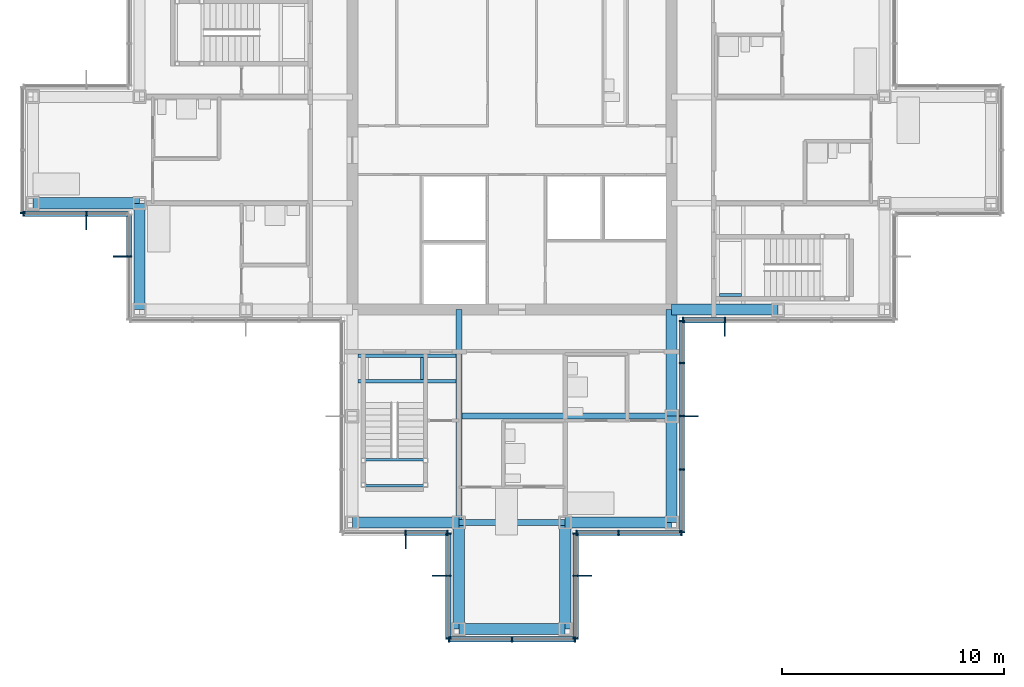
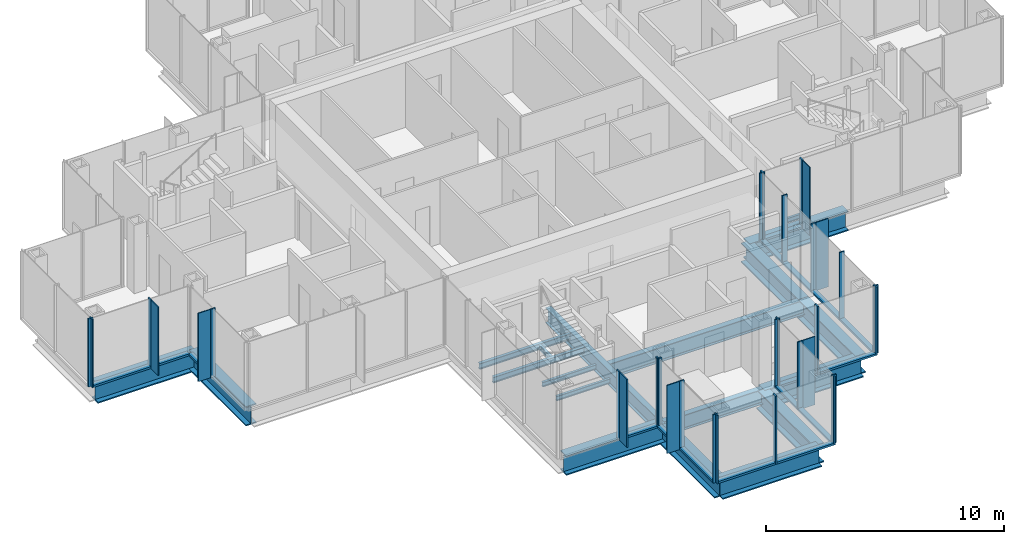
# One storey, part 6 of 17: 49 members, 19 beams, 10 elements without a shape of their own.
"""IFC4 building model written with IfcOpenShell, lengths in metres."""

from ifc_helpers import new_model, si_unit, direction, frame, origin, origin_2d, place, context, subcontext, project, spatial, rectangle, i_section, extrude, material, material_profile, profile_set, type_object, element, aggregate, save


model = new_model("IFC4")

# Units and contexts
model_context = context("Model", 3, precision=1e-05, world=origin(), true_north=direction((0.0, 1.0)))
body_context = subcontext(model_context, "Body", "Model", "MODEL_VIEW")
ifc_project = project(units=[si_unit("LENGTHUNIT", "METRE"), si_unit("AREAUNIT", "SQUARE_METRE"), si_unit("VOLUMEUNIT", "CUBIC_METRE"), si_unit("PLANEANGLEUNIT", "RADIAN"), si_unit("MASSUNIT", "GRAM", prefix="KILO")], contexts=[model_context])

# Site, building, storey
site_placement = place(None, origin())
site = spatial("IfcSite", under=ifc_project, at=site_placement, CompositionType="ELEMENT")
building_placement = place(site_placement, origin())
building = spatial("IfcBuilding", under=site, at=building_placement, Name="Kvirike Care Tower", CompositionType="ELEMENT")
storey_placement = place(building_placement, frame((0.0, 0.0, 183.0)))
storey = spatial("IfcBuildingStorey", under=building, at=storey_placement, Name="L50", CompositionType="ELEMENT", Elevation=183.0)

# Curtain wall, member
ifc_material_1 = material(Name="Anodised aluminium stick system", Category="aluminium")
curtain_wall_type = type_object("IfcCurtainWallType", Name="CW-C STICK CURTAIN WALL", PredefinedType="NOTDEFINED", material=ifc_material_1)
curtain_wall_1_placement = place(storey_placement, origin())
curtain_wall_1 = element("IfcCurtainWall", 1, at=curtain_wall_1_placement, inside=storey, type_object=curtain_wall_type, Name="Curtain wall L50 face 1", PredefinedType="NOTDEFINED")
ifc_material_2 = material(Name="Bronze anodised aluminium fin", Category="aluminium")
ifc_material_profile_1 = material_profile(ifc_material_2, rectangle(XDim=0.050048828125, YDim=0.60009765625, at=origin_2d()), Name="BRONZE FIN 600")
ifc_profile_set_1 = profile_set([ifc_material_profile_1], Name="Bronze anodised aluminium fin")
member_type_1 = type_object("IfcMemberType", Name="BRONZE FIN 600", PredefinedType="USERDEFINED", material=ifc_profile_set_1)
member_1_placement = place(storey_placement, frame((31.199951171875, 27.909912109375, 0.0), z_axis=(0.0, 0.0, 1.0), x_axis=(1.0, 0.0, 0.0)))
member_1 = element("IfcMember", 2, at=member_1_placement, type_object=member_type_1, Name="Bronze fin L50 face 1.2", ObjectType="FIN", PredefinedType="USERDEFINED", context=body_context, shape_type="SweptSolid", body=[
    extrude(rectangle(XDim=0.050048828125, YDim=0.60009765625, at=origin_2d()), origin(), (0.0, 0.0, 1.0), 3.5),
])

curtain_wall_2_placement = place(storey_placement, origin())
curtain_wall_2 = element("IfcCurtainWall", 3, at=curtain_wall_2_placement, inside=storey, type_object=curtain_wall_type, Name="Curtain wall L50 face 19", PredefinedType="NOTDEFINED")
member_2_placement = place(storey_placement, frame((2.39990234375, 32.7099609375, 0.0), z_axis=(0.0, 0.0, 1.0), x_axis=(1.0, 0.0, 0.0)))
member_2 = element("IfcMember", 4, at=member_2_placement, type_object=member_type_1, Name="Bronze fin L50 face 19.2", ObjectType="FIN", PredefinedType="USERDEFINED", context=body_context, shape_type="SweptSolid", body=[
    extrude(rectangle(XDim=0.050048828125, YDim=0.60009765625, at=origin_2d()), origin(), (0.0, 0.0, 1.0), 3.5),
])

curtain_wall_3_placement = place(storey_placement, origin())
curtain_wall_3 = element("IfcCurtainWall", 5, at=curtain_wall_3_placement, inside=storey, type_object=curtain_wall_type, Name="Curtain wall L50 face 20", PredefinedType="NOTDEFINED")
member_3_placement = place(storey_placement, frame((3.909912109375, 31.199951171875, 0.0), z_axis=(0.0, 0.0, 1.0), x_axis=(0.0, -1.0, 0.0)))
member_3 = element("IfcMember", 6, at=member_3_placement, type_object=member_type_1, Name="Bronze fin L50 face 20.2", ObjectType="FIN", PredefinedType="USERDEFINED", context=body_context, shape_type="SweptSolid", body=[
    extrude(rectangle(XDim=0.050048828125, YDim=0.60009765625, at=origin_2d()), origin(), (0.0, 0.0, 1.0), 3.5),
])

curtain_wall_4_placement = place(storey_placement, origin())
curtain_wall_4 = element("IfcCurtainWall", 7, at=curtain_wall_4_placement, inside=storey, type_object=curtain_wall_type, Name="Curtain wall L50 face 23", PredefinedType="NOTDEFINED")
member_4_placement = place(storey_placement, frame((16.800048828125, 18.31005859375, 0.0), z_axis=(0.0, 0.0, 1.0), x_axis=(1.0, 0.0, 0.0)))
member_4 = element("IfcMember", 8, at=member_4_placement, type_object=member_type_1, Name="Bronze fin L50 face 23.2", ObjectType="FIN", PredefinedType="USERDEFINED", context=body_context, shape_type="SweptSolid", body=[
    extrude(rectangle(XDim=0.050048828125, YDim=0.60009765625, at=origin_2d()), origin(), (0.0, 0.0, 1.0), 3.5),
])

curtain_wall_5_placement = place(storey_placement, origin())
curtain_wall_5 = element("IfcCurtainWall", 9, at=curtain_wall_5_placement, inside=storey, type_object=curtain_wall_type, Name="Curtain wall L50 face 24", PredefinedType="NOTDEFINED")
member_5_placement = place(storey_placement, frame((18.31005859375, 16.800048828125, 0.0), z_axis=(0.0, 0.0, 1.0), x_axis=(0.0, -1.0, 0.0)))
member_5 = element("IfcMember", 10, at=member_5_placement, type_object=member_type_1, Name="Bronze fin L50 face 24.2", ObjectType="FIN", PredefinedType="USERDEFINED", context=body_context, shape_type="SweptSolid", body=[
    extrude(rectangle(XDim=0.050048828125, YDim=0.60009765625, at=origin_2d()), origin(), (0.0, 0.0, 1.0), 3.5),
])

curtain_wall_6_placement = place(storey_placement, origin())
curtain_wall_6 = element("IfcCurtainWall", 11, at=curtain_wall_6_placement, inside=storey, type_object=curtain_wall_type, Name="Curtain wall L50 face 26", PredefinedType="NOTDEFINED")
member_6_placement = place(storey_placement, frame((24.889892578125, 16.800048828125, 0.0), z_axis=(0.0, 0.0, 1.0), x_axis=(0.0, 1.0, 0.0)))
member_6 = element("IfcMember", 12, at=member_6_placement, type_object=member_type_1, Name="Bronze fin L50 face 26.2", ObjectType="FIN", PredefinedType="USERDEFINED", context=body_context, shape_type="SweptSolid", body=[
    extrude(rectangle(XDim=0.050048828125, YDim=0.60009765625, at=origin_2d()), origin(), (0.0, 0.0, 1.0), 3.5),
])

curtain_wall_7_placement = place(storey_placement, origin())
curtain_wall_7 = element("IfcCurtainWall", 13, at=curtain_wall_7_placement, inside=storey, type_object=curtain_wall_type, Name="Curtain wall L50 face 28", PredefinedType="NOTDEFINED")
member_7_placement = place(storey_placement, frame((29.68994140625, 24.0, 0.0), z_axis=(0.0, 0.0, 1.0), x_axis=(0.0, 1.0, 0.0)))
member_7 = element("IfcMember", 14, at=member_7_placement, type_object=member_type_1, Name="Bronze fin L50 face 28.3", ObjectType="FIN", PredefinedType="USERDEFINED", context=body_context, shape_type="SweptSolid", body=[
    extrude(rectangle(XDim=0.050048828125, YDim=0.60009765625, at=origin_2d()), origin(), (0.0, 0.0, 1.0), 3.5),
])

# Member
ifc_material_3 = material(Name="Bronze anodised aluminium mullion", Category="aluminium")
ifc_material_profile_2 = material_profile(ifc_material_3, rectangle(XDim=0.06494140625, YDim=0.239990234375, at=origin_2d()), Name="CW-C MULLION 65x240")
ifc_profile_set_2 = profile_set([ifc_material_profile_2], Name="Bronze anodised aluminium mullion")
member_type_2 = type_object("IfcMemberType", Name="CW-C MULLION 65x240", PredefinedType="MULLION", material=ifc_profile_set_2)
member_8_placement = place(storey_placement, frame((29.302490234375, 28.330078125, 0.0), z_axis=(0.0, 0.0, 1.0), x_axis=(1.0, 0.0, 0.0)))
member_8 = element("IfcMember", 15, at=member_8_placement, type_object=member_type_2, Name="CW-C mullion L50 face 1.1", PredefinedType="MULLION", context=body_context, shape_type="SweptSolid", body=[
    extrude(rectangle(XDim=0.06494140625, YDim=0.239990234375, at=origin_2d()), origin(), (0.0, 0.0, 1.0), 3.5),
])

member_9_placement = place(storey_placement, frame((31.199951171875, 28.330078125, 0.0), z_axis=(0.0, 0.0, 1.0), x_axis=(1.0, 0.0, 0.0)))
member_9 = element("IfcMember", 16, at=member_9_placement, type_object=member_type_2, Name="CW-C mullion L50 face 1.2", PredefinedType="MULLION", context=body_context, shape_type="SweptSolid", body=[
    extrude(rectangle(XDim=0.06494140625, YDim=0.239990234375, at=origin_2d()), origin(), (0.0, 0.0, 1.0), 3.5),
])

# Curtain wall, member
curtain_wall_8_placement = place(storey_placement, origin())
curtain_wall_8 = element("IfcCurtainWall", 17, at=curtain_wall_8_placement, inside=storey, type_object=curtain_wall_type, Name="Curtain wall L50 face 18", PredefinedType="NOTDEFINED")
member_10_placement = place(storey_placement, frame((-0.469970703125, 33.16259765625, 0.0), z_axis=(0.0, 0.0, 1.0), x_axis=(0.0, -1.0, 0.0)))
member_10 = element("IfcMember", 18, at=member_10_placement, type_object=member_type_2, Name="CW-C mullion L50 face 18.3", PredefinedType="MULLION", context=body_context, shape_type="SweptSolid", body=[
    extrude(rectangle(XDim=0.06494140625, YDim=0.239990234375, at=origin_2d()), origin(), (0.0, 0.0, 1.0), 3.5),
])
aggregate(curtain_wall_8, [member_10])

# Member
member_11_placement = place(storey_placement, frame((-0.4375, 33.1298828125, 0.0), z_axis=(0.0, 0.0, 1.0), x_axis=(1.0, 0.0, 0.0)))
member_11 = element("IfcMember", 19, at=member_11_placement, type_object=member_type_2, Name="CW-C mullion L50 face 19.1", PredefinedType="MULLION", context=body_context, shape_type="SweptSolid", body=[
    extrude(rectangle(XDim=0.06494140625, YDim=0.239990234375, at=origin_2d()), origin(), (0.0, 0.0, 1.0), 3.5),
])

member_12_placement = place(storey_placement, frame((2.39990234375, 33.1298828125, 0.0), z_axis=(0.0, 0.0, 1.0), x_axis=(1.0, 0.0, 0.0)))
member_12 = element("IfcMember", 20, at=member_12_placement, type_object=member_type_2, Name="CW-C mullion L50 face 19.2", PredefinedType="MULLION", context=body_context, shape_type="SweptSolid", body=[
    extrude(rectangle(XDim=0.06494140625, YDim=0.239990234375, at=origin_2d()), origin(), (0.0, 0.0, 1.0), 3.5),
])

member_13_placement = place(storey_placement, frame((4.330078125, 31.199951171875, 0.0), z_axis=(0.0, 0.0, 1.0), x_axis=(0.0, -1.0, 0.0)))
member_13 = element("IfcMember", 21, at=member_13_placement, type_object=member_type_2, Name="CW-C mullion L50 face 20.2", PredefinedType="MULLION", context=body_context, shape_type="SweptSolid", body=[
    extrude(rectangle(XDim=0.06494140625, YDim=0.239990234375, at=origin_2d()), origin(), (0.0, 0.0, 1.0), 3.5),
])

member_14_placement = place(storey_placement, frame((16.800048828125, 18.72998046875, 0.0), z_axis=(0.0, 0.0, 1.0), x_axis=(1.0, 0.0, 0.0)))
member_14 = element("IfcMember", 22, at=member_14_placement, type_object=member_type_2, Name="CW-C mullion L50 face 23.2", PredefinedType="MULLION", context=body_context, shape_type="SweptSolid", body=[
    extrude(rectangle(XDim=0.06494140625, YDim=0.239990234375, at=origin_2d()), origin(), (0.0, 0.0, 1.0), 3.5),
])

member_15_placement = place(storey_placement, frame((18.697509765625, 18.72998046875, 0.0), z_axis=(0.0, 0.0, 1.0), x_axis=(1.0, 0.0, 0.0)))
member_15 = element("IfcMember", 23, at=member_15_placement, type_object=member_type_2, Name="CW-C mullion L50 face 23.3", PredefinedType="MULLION", context=body_context, shape_type="SweptSolid", body=[
    extrude(rectangle(XDim=0.06494140625, YDim=0.239990234375, at=origin_2d()), origin(), (0.0, 0.0, 1.0), 3.5),
])

member_16_placement = place(storey_placement, frame((18.72998046875, 18.697509765625, 0.0), z_axis=(0.0, 0.0, 1.0), x_axis=(0.0, -1.0, 0.0)))
member_16 = element("IfcMember", 24, at=member_16_placement, type_object=member_type_2, Name="CW-C mullion L50 face 24.1", PredefinedType="MULLION", context=body_context, shape_type="SweptSolid", body=[
    extrude(rectangle(XDim=0.06494140625, YDim=0.239990234375, at=origin_2d()), origin(), (0.0, 0.0, 1.0), 3.5),
])

member_17_placement = place(storey_placement, frame((18.72998046875, 16.800048828125, 0.0), z_axis=(0.0, 0.0, 1.0), x_axis=(0.0, -1.0, 0.0)))
member_17 = element("IfcMember", 25, at=member_17_placement, type_object=member_type_2, Name="CW-C mullion L50 face 24.2", PredefinedType="MULLION", context=body_context, shape_type="SweptSolid", body=[
    extrude(rectangle(XDim=0.06494140625, YDim=0.239990234375, at=origin_2d()), origin(), (0.0, 0.0, 1.0), 3.5),
])

member_18_placement = place(storey_placement, frame((18.72998046875, 13.96240234375, 0.0), z_axis=(0.0, 0.0, 1.0), x_axis=(0.0, -1.0, 0.0)))
member_18 = element("IfcMember", 26, at=member_18_placement, type_object=member_type_2, Name="CW-C mullion L50 face 24.3", PredefinedType="MULLION", context=body_context, shape_type="SweptSolid", body=[
    extrude(rectangle(XDim=0.06494140625, YDim=0.239990234375, at=origin_2d()), origin(), (0.0, 0.0, 1.0), 3.5),
])

# Curtain wall, members
curtain_wall_9_placement = place(storey_placement, origin())
curtain_wall_9 = element("IfcCurtainWall", 27, at=curtain_wall_9_placement, inside=storey, type_object=curtain_wall_type, Name="Curtain wall L50 face 25", PredefinedType="NOTDEFINED")
member_19_placement = place(storey_placement, frame((18.762451171875, 13.929931640625, 0.0), z_axis=(0.0, 0.0, 1.0), x_axis=(1.0, 0.0, 0.0)))
member_19 = element("IfcMember", 28, at=member_19_placement, type_object=member_type_2, Name="CW-C mullion L50 face 25.1", PredefinedType="MULLION", context=body_context, shape_type="SweptSolid", body=[
    extrude(rectangle(XDim=0.06494140625, YDim=0.239990234375, at=origin_2d()), origin(), (0.0, 0.0, 1.0), 3.5),
])
member_20_placement = place(storey_placement, frame((21.60009765625, 13.929931640625, 0.0), z_axis=(0.0, 0.0, 1.0), x_axis=(1.0, 0.0, 0.0)))
member_20 = element("IfcMember", 29, at=member_20_placement, type_object=member_type_2, Name="CW-C mullion L50 face 25.2", PredefinedType="MULLION", context=body_context, shape_type="SweptSolid", body=[
    extrude(rectangle(XDim=0.06494140625, YDim=0.239990234375, at=origin_2d()), origin(), (0.0, 0.0, 1.0), 3.5),
])
member_21_placement = place(storey_placement, frame((24.4375, 13.929931640625, 0.0), z_axis=(0.0, 0.0, 1.0), x_axis=(1.0, 0.0, 0.0)))
member_21 = element("IfcMember", 30, at=member_21_placement, type_object=member_type_2, Name="CW-C mullion L50 face 25.3", PredefinedType="MULLION", context=body_context, shape_type="SweptSolid", body=[
    extrude(rectangle(XDim=0.06494140625, YDim=0.239990234375, at=origin_2d()), origin(), (0.0, 0.0, 1.0), 3.5),
])

# Member
member_22_placement = place(storey_placement, frame((24.469970703125, 13.96240234375, 0.0), z_axis=(0.0, 0.0, 1.0), x_axis=(0.0, 1.0, 0.0)))
member_22 = element("IfcMember", 31, at=member_22_placement, type_object=member_type_2, Name="CW-C mullion L50 face 26.1", PredefinedType="MULLION", context=body_context, shape_type="SweptSolid", body=[
    extrude(rectangle(XDim=0.06494140625, YDim=0.239990234375, at=origin_2d()), origin(), (0.0, 0.0, 1.0), 3.5),
])

member_23_placement = place(storey_placement, frame((24.469970703125, 16.800048828125, 0.0), z_axis=(0.0, 0.0, 1.0), x_axis=(0.0, 1.0, 0.0)))
member_23 = element("IfcMember", 32, at=member_23_placement, type_object=member_type_2, Name="CW-C mullion L50 face 26.2", PredefinedType="MULLION", context=body_context, shape_type="SweptSolid", body=[
    extrude(rectangle(XDim=0.06494140625, YDim=0.239990234375, at=origin_2d()), origin(), (0.0, 0.0, 1.0), 3.5),
])

member_24_placement = place(storey_placement, frame((24.469970703125, 18.697509765625, 0.0), z_axis=(0.0, 0.0, 1.0), x_axis=(0.0, 1.0, 0.0)))
member_24 = element("IfcMember", 33, at=member_24_placement, type_object=member_type_2, Name="CW-C mullion L50 face 26.3", PredefinedType="MULLION", context=body_context, shape_type="SweptSolid", body=[
    extrude(rectangle(XDim=0.06494140625, YDim=0.239990234375, at=origin_2d()), origin(), (0.0, 0.0, 1.0), 3.5),
])

# Curtain wall, members
curtain_wall_10_placement = place(storey_placement, origin())
curtain_wall_10 = element("IfcCurtainWall", 34, at=curtain_wall_10_placement, inside=storey, type_object=curtain_wall_type, Name="Curtain wall L50 face 27", PredefinedType="NOTDEFINED")
member_25_placement = place(storey_placement, frame((24.50244140625, 18.72998046875, 0.0), z_axis=(0.0, 0.0, 1.0), x_axis=(1.0, 0.0, 0.0)))
member_25 = element("IfcMember", 35, at=member_25_placement, type_object=member_type_2, Name="CW-C mullion L50 face 27.1", PredefinedType="MULLION", context=body_context, shape_type="SweptSolid", body=[
    extrude(rectangle(XDim=0.06494140625, YDim=0.239990234375, at=origin_2d()), origin(), (0.0, 0.0, 1.0), 3.5),
])
member_26_placement = place(storey_placement, frame((26.39990234375, 18.72998046875, 0.0), z_axis=(0.0, 0.0, 1.0), x_axis=(1.0, 0.0, 0.0)))
member_26 = element("IfcMember", 36, at=member_26_placement, type_object=member_type_2, Name="CW-C mullion L50 face 27.2", PredefinedType="MULLION", context=body_context, shape_type="SweptSolid", body=[
    extrude(rectangle(XDim=0.06494140625, YDim=0.239990234375, at=origin_2d()), origin(), (0.0, 0.0, 1.0), 3.5),
])
member_27_placement = place(storey_placement, frame((29.237548828125, 18.72998046875, 0.0), z_axis=(0.0, 0.0, 1.0), x_axis=(1.0, 0.0, 0.0)))
member_27 = element("IfcMember", 37, at=member_27_placement, type_object=member_type_2, Name="CW-C mullion L50 face 27.3", PredefinedType="MULLION", context=body_context, shape_type="SweptSolid", body=[
    extrude(rectangle(XDim=0.06494140625, YDim=0.239990234375, at=origin_2d()), origin(), (0.0, 0.0, 1.0), 3.5),
])

# Member
member_28_placement = place(storey_placement, frame((29.27001953125, 18.762451171875, 0.0), z_axis=(0.0, 0.0, 1.0), x_axis=(0.0, 1.0, 0.0)))
member_28 = element("IfcMember", 38, at=member_28_placement, type_object=member_type_2, Name="CW-C mullion L50 face 28.1", PredefinedType="MULLION", context=body_context, shape_type="SweptSolid", body=[
    extrude(rectangle(XDim=0.06494140625, YDim=0.239990234375, at=origin_2d()), origin(), (0.0, 0.0, 1.0), 3.5),
])

member_29_placement = place(storey_placement, frame((29.27001953125, 21.60009765625, 0.0), z_axis=(0.0, 0.0, 1.0), x_axis=(0.0, 1.0, 0.0)))
member_29 = element("IfcMember", 39, at=member_29_placement, type_object=member_type_2, Name="CW-C mullion L50 face 28.2", PredefinedType="MULLION", context=body_context, shape_type="SweptSolid", body=[
    extrude(rectangle(XDim=0.06494140625, YDim=0.239990234375, at=origin_2d()), origin(), (0.0, 0.0, 1.0), 3.5),
])

member_30_placement = place(storey_placement, frame((29.27001953125, 24.0, 0.0), z_axis=(0.0, 0.0, 1.0), x_axis=(0.0, 1.0, 0.0)))
member_30 = element("IfcMember", 40, at=member_30_placement, type_object=member_type_2, Name="CW-C mullion L50 face 28.3", PredefinedType="MULLION", context=body_context, shape_type="SweptSolid", body=[
    extrude(rectangle(XDim=0.06494140625, YDim=0.239990234375, at=origin_2d()), origin(), (0.0, 0.0, 1.0), 3.5),
])

member_31_placement = place(storey_placement, frame((29.27001953125, 26.39990234375, 0.0), z_axis=(0.0, 0.0, 1.0), x_axis=(0.0, 1.0, 0.0)))
member_31 = element("IfcMember", 41, at=member_31_placement, type_object=member_type_2, Name="CW-C mullion L50 face 28.4", PredefinedType="MULLION", context=body_context, shape_type="SweptSolid", body=[
    extrude(rectangle(XDim=0.06494140625, YDim=0.239990234375, at=origin_2d()), origin(), (0.0, 0.0, 1.0), 3.5),
])

member_32_placement = place(storey_placement, frame((29.27001953125, 28.297607421875, 0.0), z_axis=(0.0, 0.0, 1.0), x_axis=(0.0, 1.0, 0.0)))
member_32 = element("IfcMember", 42, at=member_32_placement, type_object=member_type_2, Name="CW-C mullion L50 face 28.5", PredefinedType="MULLION", context=body_context, shape_type="SweptSolid", body=[
    extrude(rectangle(XDim=0.06494140625, YDim=0.239990234375, at=origin_2d()), origin(), (0.0, 0.0, 1.0), 3.5),
])

ifc_material_4 = material(Name="Bronze anodised aluminium transom", Category="aluminium")
ifc_material_profile_3 = material_profile(ifc_material_4, rectangle(XDim=0.239990234375, YDim=0.10009765625, at=origin_2d()), Name="CW-C TRANSOM 240x100")
ifc_profile_set_3 = profile_set([ifc_material_profile_3], Name="Bronze anodised aluminium transom")
member_type_3 = type_object("IfcMemberType", Name="CW-C TRANSOM 240x100", PredefinedType="USERDEFINED", material=ifc_profile_set_3)
member_33_placement = place(storey_placement, frame((29.3349609375, 28.330078125, 0.050048828125), z_axis=(1.0, 0.0, 0.0), x_axis=(0.0, 1.0, 0.0)))
member_33 = element("IfcMember", 43, at=member_33_placement, type_object=member_type_3, Name="CW-C sill transom L50 face 1.1", ObjectType="TRANSOM", PredefinedType="USERDEFINED", context=body_context, shape_type="SweptSolid", body=[
    extrude(rectangle(XDim=0.239990234375, YDim=0.10009765625, at=origin_2d()), origin(), (0.0, 0.0, 1.0), 1.83251953125),
])

aggregate(curtain_wall_1, [member_8, member_9, member_1, member_33])

member_34_placement = place(storey_placement, frame((-0.405029296875, 33.1298828125, 0.050048828125), z_axis=(1.0, 0.0, 0.0), x_axis=(0.0, 1.0, 0.0)))
member_34 = element("IfcMember", 44, at=member_34_placement, type_object=member_type_3, Name="CW-C sill transom L50 face 19.1", ObjectType="TRANSOM", PredefinedType="USERDEFINED", context=body_context, shape_type="SweptSolid", body=[
    extrude(rectangle(XDim=0.239990234375, YDim=0.10009765625, at=origin_2d()), origin(), (0.0, 0.0, 1.0), 2.7724609375),
])

member_35_placement = place(storey_placement, frame((2.4326171875, 33.1298828125, 0.050048828125), z_axis=(1.0, 0.0, 0.0), x_axis=(0.0, 1.0, 0.0)))
member_35 = element("IfcMember", 45, at=member_35_placement, type_object=member_type_3, Name="CW-C sill transom L50 face 19.2", ObjectType="TRANSOM", PredefinedType="USERDEFINED", context=body_context, shape_type="SweptSolid", body=[
    extrude(rectangle(XDim=0.239990234375, YDim=0.10009765625, at=origin_2d()), origin(), (0.0, 0.0, 1.0), 1.832275390625),
])

aggregate(curtain_wall_2, [member_11, member_12, member_2, member_34, member_35])

member_36_placement = place(storey_placement, frame((4.330078125, 33.06494140625, 0.050048828125), z_axis=(0.0, -1.0, 0.0), x_axis=(1.0, 0.0, 0.0)))
member_36 = element("IfcMember", 46, at=member_36_placement, type_object=member_type_3, Name="CW-C sill transom L50 face 20.1", ObjectType="TRANSOM", PredefinedType="USERDEFINED", context=body_context, shape_type="SweptSolid", body=[
    extrude(rectangle(XDim=0.239990234375, YDim=0.10009765625, at=origin_2d()), origin(), (0.0, 0.0, 1.0), 1.83251953125),
])

aggregate(curtain_wall_3, [member_13, member_3, member_36])

member_37_placement = place(storey_placement, frame((16.83251953125, 18.72998046875, 0.050048828125), z_axis=(1.0, 0.0, 0.0), x_axis=(0.0, 1.0, 0.0)))
member_37 = element("IfcMember", 47, at=member_37_placement, type_object=member_type_3, Name="CW-C sill transom L50 face 23.2", ObjectType="TRANSOM", PredefinedType="USERDEFINED", context=body_context, shape_type="SweptSolid", body=[
    extrude(rectangle(XDim=0.239990234375, YDim=0.10009765625, at=origin_2d()), origin(), (0.0, 0.0, 1.0), 1.83251953125),
])

aggregate(curtain_wall_4, [member_14, member_4, member_15, member_37])

member_38_placement = place(storey_placement, frame((18.72998046875, 18.6650390625, 0.050048828125), z_axis=(0.0, -1.0, 0.0), x_axis=(1.0, 0.0, 0.0)))
member_38 = element("IfcMember", 48, at=member_38_placement, type_object=member_type_3, Name="CW-C sill transom L50 face 24.1", ObjectType="TRANSOM", PredefinedType="USERDEFINED", context=body_context, shape_type="SweptSolid", body=[
    extrude(rectangle(XDim=0.239990234375, YDim=0.10009765625, at=origin_2d()), origin(), (0.0, 0.0, 1.0), 1.83251953125),
])

member_39_placement = place(storey_placement, frame((18.72998046875, 16.767578125, 0.050048828125), z_axis=(0.0, -1.0, 0.0), x_axis=(1.0, 0.0, 0.0)))
member_39 = element("IfcMember", 49, at=member_39_placement, type_object=member_type_3, Name="CW-C sill transom L50 face 24.2", ObjectType="TRANSOM", PredefinedType="USERDEFINED", context=body_context, shape_type="SweptSolid", body=[
    extrude(rectangle(XDim=0.239990234375, YDim=0.10009765625, at=origin_2d()), origin(), (0.0, 0.0, 1.0), 2.7724609375),
])

aggregate(curtain_wall_5, [member_16, member_17, member_5, member_18, member_38, member_39])

member_40_placement = place(storey_placement, frame((18.794921875, 13.929931640625, 0.050048828125), z_axis=(1.0, 0.0, 0.0), x_axis=(0.0, 1.0, 0.0)))
member_40 = element("IfcMember", 50, at=member_40_placement, type_object=member_type_3, Name="CW-C sill transom L50 face 25.1", ObjectType="TRANSOM", PredefinedType="USERDEFINED", context=body_context, shape_type="SweptSolid", body=[
    extrude(rectangle(XDim=0.239990234375, YDim=0.10009765625, at=origin_2d()), origin(), (0.0, 0.0, 1.0), 2.7724609375),
])

member_41_placement = place(storey_placement, frame((21.632568359375, 13.929931640625, 0.050048828125), z_axis=(1.0, 0.0, 0.0), x_axis=(0.0, 1.0, 0.0)))
member_41 = element("IfcMember", 51, at=member_41_placement, type_object=member_type_3, Name="CW-C sill transom L50 face 25.2", ObjectType="TRANSOM", PredefinedType="USERDEFINED", context=body_context, shape_type="SweptSolid", body=[
    extrude(rectangle(XDim=0.239990234375, YDim=0.10009765625, at=origin_2d()), origin(), (0.0, 0.0, 1.0), 2.7724609375),
])

aggregate(curtain_wall_9, [member_19, member_20, member_21, member_40, member_41])

member_42_placement = place(storey_placement, frame((24.469970703125, 13.9951171875, 0.050048828125), z_axis=(0.0, 1.0, 0.0), x_axis=(-1.0, 0.0, 0.0)))
member_42 = element("IfcMember", 52, at=member_42_placement, type_object=member_type_3, Name="CW-C sill transom L50 face 26.1", ObjectType="TRANSOM", PredefinedType="USERDEFINED", context=body_context, shape_type="SweptSolid", body=[
    extrude(rectangle(XDim=0.239990234375, YDim=0.10009765625, at=origin_2d()), origin(), (0.0, 0.0, 1.0), 2.7724609375),
])

member_43_placement = place(storey_placement, frame((24.469970703125, 16.83251953125, 0.050048828125), z_axis=(0.0, 1.0, 0.0), x_axis=(-1.0, 0.0, 0.0)))
member_43 = element("IfcMember", 53, at=member_43_placement, type_object=member_type_3, Name="CW-C sill transom L50 face 26.2", ObjectType="TRANSOM", PredefinedType="USERDEFINED", context=body_context, shape_type="SweptSolid", body=[
    extrude(rectangle(XDim=0.239990234375, YDim=0.10009765625, at=origin_2d()), origin(), (0.0, 0.0, 1.0), 1.83251953125),
])

aggregate(curtain_wall_6, [member_22, member_23, member_6, member_24, member_42, member_43])

member_44_placement = place(storey_placement, frame((24.534912109375, 18.72998046875, 0.050048828125), z_axis=(1.0, 0.0, 0.0), x_axis=(0.0, 1.0, 0.0)))
member_44 = element("IfcMember", 54, at=member_44_placement, type_object=member_type_3, Name="CW-C sill transom L50 face 27.1", ObjectType="TRANSOM", PredefinedType="USERDEFINED", context=body_context, shape_type="SweptSolid", body=[
    extrude(rectangle(XDim=0.239990234375, YDim=0.10009765625, at=origin_2d()), origin(), (0.0, 0.0, 1.0), 1.83251953125),
])

member_45_placement = place(storey_placement, frame((26.4326171875, 18.72998046875, 0.050048828125), z_axis=(1.0, 0.0, 0.0), x_axis=(0.0, 1.0, 0.0)))
member_45 = element("IfcMember", 55, at=member_45_placement, type_object=member_type_3, Name="CW-C sill transom L50 face 27.2", ObjectType="TRANSOM", PredefinedType="USERDEFINED", context=body_context, shape_type="SweptSolid", body=[
    extrude(rectangle(XDim=0.239990234375, YDim=0.10009765625, at=origin_2d()), origin(), (0.0, 0.0, 1.0), 2.7724609375),
])

aggregate(curtain_wall_10, [member_25, member_26, member_27, member_44, member_45])

member_46_placement = place(storey_placement, frame((29.27001953125, 18.794921875, 0.050048828125), z_axis=(0.0, 1.0, 0.0), x_axis=(-1.0, 0.0, 0.0)))
member_46 = element("IfcMember", 56, at=member_46_placement, type_object=member_type_3, Name="CW-C sill transom L50 face 28.1", ObjectType="TRANSOM", PredefinedType="USERDEFINED", context=body_context, shape_type="SweptSolid", body=[
    extrude(rectangle(XDim=0.239990234375, YDim=0.10009765625, at=origin_2d()), origin(), (0.0, 0.0, 1.0), 2.7724609375),
])

member_47_placement = place(storey_placement, frame((29.27001953125, 21.632568359375, 0.050048828125), z_axis=(0.0, 1.0, 0.0), x_axis=(-1.0, 0.0, 0.0)))
member_47 = element("IfcMember", 57, at=member_47_placement, type_object=member_type_3, Name="CW-C sill transom L50 face 28.2", ObjectType="TRANSOM", PredefinedType="USERDEFINED", context=body_context, shape_type="SweptSolid", body=[
    extrude(rectangle(XDim=0.239990234375, YDim=0.10009765625, at=origin_2d()), origin(), (0.0, 0.0, 1.0), 2.3349609375),
])

member_48_placement = place(storey_placement, frame((29.27001953125, 24.032470703125, 0.050048828125), z_axis=(0.0, 1.0, 0.0), x_axis=(-1.0, 0.0, 0.0)))
member_48 = element("IfcMember", 58, at=member_48_placement, type_object=member_type_3, Name="CW-C sill transom L50 face 28.3", ObjectType="TRANSOM", PredefinedType="USERDEFINED", context=body_context, shape_type="SweptSolid", body=[
    extrude(rectangle(XDim=0.239990234375, YDim=0.10009765625, at=origin_2d()), origin(), (0.0, 0.0, 1.0), 2.3349609375),
])

member_49_placement = place(storey_placement, frame((29.27001953125, 26.4326171875, 0.050048828125), z_axis=(0.0, 1.0, 0.0), x_axis=(-1.0, 0.0, 0.0)))
member_49 = element("IfcMember", 59, at=member_49_placement, type_object=member_type_3, Name="CW-C sill transom L50 face 28.4", ObjectType="TRANSOM", PredefinedType="USERDEFINED", context=body_context, shape_type="SweptSolid", body=[
    extrude(rectangle(XDim=0.239990234375, YDim=0.10009765625, at=origin_2d()), origin(), (0.0, 0.0, 1.0), 1.832275390625),
])

aggregate(curtain_wall_7, [member_28, member_29, member_30, member_7, member_31, member_32, member_46, member_47, member_48, member_49])

# Beams
ifc_material_5 = material(Name="Steel S355", Category="steel")
ifc_material_profile_4 = material_profile(ifc_material_5, i_section(OverallWidth=0.26806640625, OverallDepth=0.77001953125, WebThickness=0.015625, FlangeThickness=0.025390625, FilletRadius=0.01708984375, at=origin_2d()), Name="IPE 750x196")
ifc_profile_set_4 = profile_set([ifc_material_profile_4], Name="Steel S355")
beam_type_1 = type_object("IfcBeamType", Name="FLOOR BEAM IPE 750x196", PredefinedType="BEAM", material=ifc_profile_set_4)
beam_1_placement = place(storey_placement, frame((19.199951171875, 19.199951171875, -0.554931640625), z_axis=(1.0, 0.0, 0.0), x_axis=(0.0, 1.0, 0.0)))
element("IfcBeam", 60, at=beam_1_placement, inside=storey, type_object=beam_type_1, Name="Floor Beam E7-E8 L50", PredefinedType="BEAM", context=body_context, shape_type="SweptSolid", body=[
    extrude(i_section(OverallWidth=0.26806640625, OverallDepth=0.77001953125, WebThickness=0.015625, FlangeThickness=0.025390625, FilletRadius=0.01708984375, at=origin_2d()), origin(), (0.0, 0.0, 1.0), 4.800048828125),
])
for number, where, z_axis, x_axis, name in (
    (61, (19.199951171875, 24.0, -0.554931640625), (1.0, 0.0, 0.0), (0.0, 1.0, 0.0), "Floor Beam F7-F9 L50"),
    (62, (19.199951171875, 19.199951171875, -0.554931640625), (0.0, 1.0, 0.0), (-1.0, 0.0, 0.0), "Floor Beam E7-G7 L50"),
):
    element("IfcBeam", number, at=place(storey_placement, frame(where, z_axis=z_axis, x_axis=x_axis)), inside=storey, type_object=beam_type_1, Name=name, PredefinedType="BEAM", context=body_context, shape_type="SweptSolid", body=[
        extrude(i_section(OverallWidth=0.26806640625, OverallDepth=0.77001953125, WebThickness=0.015625, FlangeThickness=0.025390625, FilletRadius=0.01708984375, at=origin_2d()), origin(), (0.0, 0.0, 1.0), 9.60009765625),
    ])
ifc_material_6 = material(Name="Steel S355", Category="steel")
ifc_material_profile_5 = material_profile(ifc_material_6, i_section(OverallWidth=0.5, OverallDepth=1.0, WebThickness=0.030029296875, FlangeThickness=0.06005859375, at=origin_2d()), Name="PG 1000x500x30x60")
ifc_profile_set_5 = profile_set([ifc_material_profile_5], Name="Steel S355")
beam_type_2 = type_object("IfcBeamType", Name="SPANDREL PG 1000x500x30x60", PredefinedType="SPANDREL", material=ifc_profile_set_5)
for number, where, z_axis, x_axis, name in (
    (63, (19.199951171875, 14.39990234375, -0.669921875), (1.0, 0.0, 0.0), (0.0, 1.0, 0.0), "Spandrel D7-D8 L50"),
    (64, (14.39990234375, 19.199951171875, -0.669921875), (1.0, 0.0, 0.0), (0.0, 1.0, 0.0), "Spandrel E6-E7 L50"),
    (65, (24.0, 19.199951171875, -0.669921875), (1.0, 0.0, 0.0), (0.0, 1.0, 0.0), "Spandrel E8-E9 L50"),
    (66, (28.800048828125, 28.800048828125, -0.669921875), (1.0, 0.0, 0.0), (0.0, 1.0, 0.0), "Spandrel G9-G10 L50"),
    (67, (0.0, 33.60009765625, -0.669921875), (1.0, 0.0, 0.0), (0.0, 1.0, 0.0), "Spandrel H3-H4 L50"),
    (68, (4.800048828125, 28.800048828125, -0.669921875), (0.0, 1.0, 0.0), (-1.0, 0.0, 0.0), "Spandrel G4-H4 L50"),
    (69, (19.199951171875, 14.39990234375, -0.669921875), (0.0, 1.0, 0.0), (-1.0, 0.0, 0.0), "Spandrel D7-E7 L50"),
    (70, (24.0, 14.39990234375, -0.669921875), (0.0, 1.0, 0.0), (-1.0, 0.0, 0.0), "Spandrel D8-E8 L50"),
    (71, (28.800048828125, 19.199951171875, -0.669921875), (0.0, 1.0, 0.0), (-1.0, 0.0, 0.0), "Spandrel E9-F9 L50"),
    (72, (28.800048828125, 24.0, -0.669921875), (0.0, 1.0, 0.0), (-1.0, 0.0, 0.0), "Spandrel F9-G9 L50"),
):
    element("IfcBeam", number, at=place(storey_placement, frame(where, z_axis=z_axis, x_axis=x_axis)), inside=storey, type_object=beam_type_2, Name=name, PredefinedType="SPANDREL", context=body_context, shape_type="SweptSolid", body=[
        extrude(i_section(OverallWidth=0.5, OverallDepth=1.0, WebThickness=0.030029296875, FlangeThickness=0.06005859375, at=origin_2d()), origin(), (0.0, 0.0, 1.0), 4.800048828125),
    ])
ifc_material_7 = material(Name="Steel S355", Category="steel")
ifc_material_profile_6 = material_profile(ifc_material_7, i_section(OverallWidth=0.1201171875, OverallDepth=0.239990234375, WebThickness=0.006103515625, FlangeThickness=0.009765625, FilletRadius=0.014892578125, at=origin_2d()), Name="IPE 240")
ifc_profile_set_6 = profile_set([ifc_material_profile_6], Name="Steel S355")
beam_type_3 = type_object("IfcBeamType", Name="STAIR LANDING BEAM IPE 240", PredefinedType="BEAM", material=ifc_profile_set_6)
beam_2_placement = place(storey_placement, frame((31.949951171875, 29.4599609375, -0.320068359375), z_axis=(-1.0, 0.0, 0.0), x_axis=(0.0, -1.0, 0.0)))
element("IfcBeam", 73, at=beam_2_placement, inside=storey, type_object=beam_type_3, Name="Stair 2 landing edge beam 1 L50", PredefinedType="BEAM", context=body_context, shape_type="SweptSolid", body=[
    extrude(i_section(OverallWidth=0.1201171875, OverallDepth=0.239990234375, WebThickness=0.006103515625, FlangeThickness=0.009765625, FilletRadius=0.014892578125, at=origin_2d()), origin(), (0.0, 0.0, 1.0), 1.0),
])
for number, where, z_axis, x_axis, name in (
    (74, (15.0, 20.860107421875, 1.429931640625), (1.0, 0.0, 0.0), (0.0, 1.0, 0.0), "Stair 5 landing beam back L50"),
    (75, (15.0, 22.0400390625, 1.429931640625), (1.0, 0.0, 0.0), (0.0, 1.0, 0.0), "Stair 5 landing beam front L50"),
):
    element("IfcBeam", number, at=place(storey_placement, frame(where, z_axis=z_axis, x_axis=x_axis)), inside=storey, type_object=beam_type_3, Name=name, PredefinedType="BEAM", context=body_context, shape_type="SweptSolid", body=[
        extrude(i_section(OverallWidth=0.1201171875, OverallDepth=0.239990234375, WebThickness=0.006103515625, FlangeThickness=0.009765625, FilletRadius=0.014892578125, at=origin_2d()), origin(), (0.0, 0.0, 1.0), 2.60009765625),
    ])
beam_3_placement = place(storey_placement, frame((17.5400390625, 25.64990234375, -0.320068359375), z_axis=(0.0, 1.0, 0.0), x_axis=(-1.0, 0.0, 0.0)))
element("IfcBeam", 76, at=beam_3_placement, inside=storey, type_object=beam_type_3, Name="Stair 5 landing edge beam 2 L50", PredefinedType="BEAM", context=body_context, shape_type="SweptSolid", body=[
    extrude(i_section(OverallWidth=0.1201171875, OverallDepth=0.239990234375, WebThickness=0.006103515625, FlangeThickness=0.009765625, FilletRadius=0.014892578125, at=origin_2d()), origin(), (0.0, 0.0, 1.0), 1.0),
])
ifc_material_8 = material(Name="Steel S355", Category="steel")
ifc_material_profile_7 = material_profile(ifc_material_8, i_section(OverallWidth=0.14990234375, OverallDepth=0.300048828125, WebThickness=0.007080078125, FlangeThickness=0.0107421875, FilletRadius=0.014892578125, at=origin_2d()), Name="IPE 300")
ifc_profile_set_7 = profile_set([ifc_material_profile_7], Name="Steel S355")
beam_type_4 = type_object("IfcBeamType", Name="STAIR TRIMMER IPE 300", PredefinedType="BEAM", material=ifc_profile_set_7)
for number, where, z_axis, x_axis, name in (
    (77, (14.64990234375, 25.574951171875, -0.35009765625), (1.0, 0.0, 0.0), (0.0, 1.0, 0.0), "Stair 5 trimmer 1 L50"),
    (78, (14.64990234375, 26.72509765625, -0.35009765625), (1.0, 0.0, 0.0), (0.0, 1.0, 0.0), "Stair 5 trimmer 2 L50"),
):
    element("IfcBeam", number, at=place(storey_placement, frame(where, z_axis=z_axis, x_axis=x_axis)), inside=storey, type_object=beam_type_4, Name=name, PredefinedType="BEAM", context=body_context, shape_type="SweptSolid", body=[
        extrude(i_section(OverallWidth=0.14990234375, OverallDepth=0.300048828125, WebThickness=0.007080078125, FlangeThickness=0.0107421875, FilletRadius=0.014892578125, at=origin_2d()), origin(), (0.0, 0.0, 1.0), 4.416015625),
    ])

save(model, "model.ifc")
